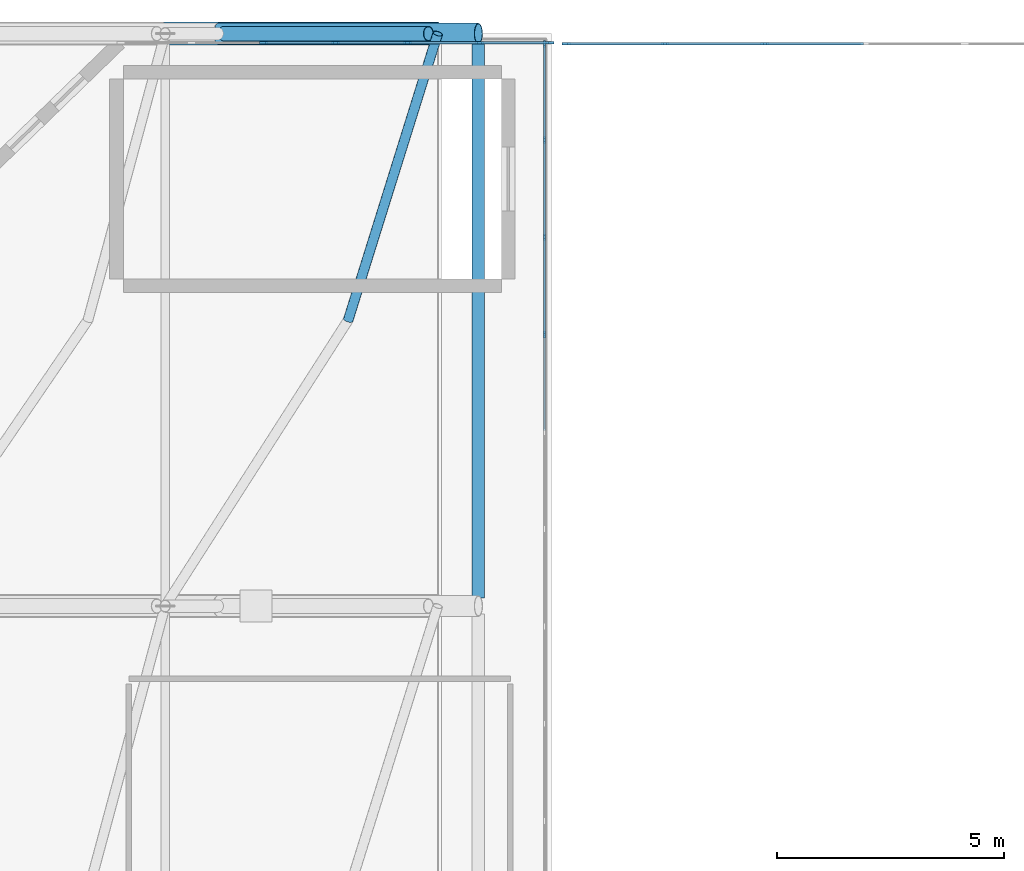
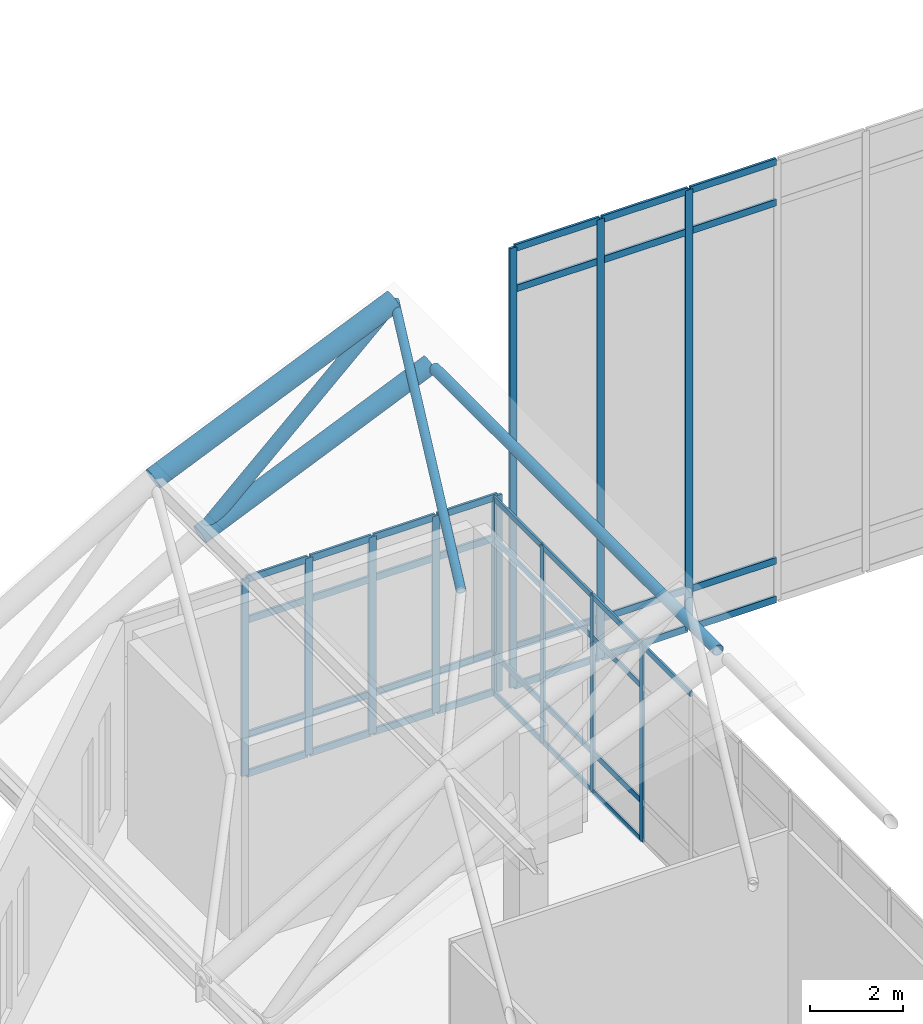
# One storey, part 18 of 42: 58 members, 3 elements without a shape of their own.
"""IFC4 building model written with IfcOpenShell, lengths in metres."""

from ifc_helpers import new_model, si_unit, derived_unit, direction, frame, origin, origin_2d, place, context, subcontext, project, spatial, rectangle, hollow_circle, extrude, material, layer, layer_set, material_profile, profile_set, type_object, element, aggregate, save


model = new_model("IFC4")

# Units and contexts
model_context = context("Model", 3, precision=1e-05, world=origin(), true_north=direction((0.0, 1.0)))
body_context = subcontext(model_context, "Body", "Model", "MODEL_VIEW")
ifc_project = project(units=[si_unit("LENGTHUNIT", "METRE"), si_unit("AREAUNIT", "SQUARE_METRE"), si_unit("VOLUMEUNIT", "CUBIC_METRE"), si_unit("PLANEANGLEUNIT", "RADIAN"), si_unit("MASSUNIT", "GRAM", prefix="KILO"), derived_unit("THERMALTRANSMITTANCEUNIT", [(si_unit("MASSUNIT", "GRAM", prefix="KILO"), 1), (si_unit("TIMEUNIT", "SECOND"), -3), (si_unit("THERMODYNAMICTEMPERATUREUNIT", "KELVIN"), -1)])], contexts=[model_context])

# Site, building, storey
site_placement = place(None, origin())
site = spatial("IfcSite", under=ifc_project, at=site_placement, CompositionType="ELEMENT")
building_placement = place(site_placement, origin())
building = spatial("IfcBuilding", under=site, at=building_placement, Name="Valcora Ridge Arena", CompositionType="ELEMENT")
storey_placement = place(building_placement, frame((0.0, 0.0, 26.39990234375)))
storey = spatial("IfcBuildingStorey", under=building, at=storey_placement, Name="L05", CompositionType="ELEMENT", Elevation=26.39990234375)

# Curtain wall, members
ifc_material_1 = material(Name="Anodised dark bronze architectural aluminium 6063-T6", Category="aluminium")
ifc_layer_1 = layer(ifc_material_1, 0.14990234375, Name="Anodised dark bronze architectural aluminium 6063-T6")
ifc_layer_set_1 = layer_set([ifc_layer_1], Name="Anodised dark bronze architectural aluminium 6063-T6")
curtain_wall_type_1 = type_object("IfcCurtainWallType", Name="TY-CURTAINWALL-CW-V1-SKY-878X52", PredefinedType="NOTDEFINED", material=ifc_layer_set_1)
curtain_wall_1_placement = place(storey_placement, origin())
curtain_wall_1 = element("IfcCurtainWall", 1, at=curtain_wall_1_placement, inside=storey, type_object=curtain_wall_type_1, Name="CW-V1-SKY-878X52 CW-0171", PredefinedType="NOTDEFINED")
ifc_material_profile_1 = material_profile(ifc_material_1, rectangle(XDim=0.050048828125, YDim=0.14990234375, at=origin_2d()), Name="ALU MULLION 50x150")
ifc_profile_set_1 = profile_set([ifc_material_profile_1], Name="Anodised dark bronze architectural aluminium 6063-T6")
member_type_1 = type_object("IfcMemberType", Name="TY-MEM-CWM-50x150", PredefinedType="MULLION", material=ifc_profile_set_1)
member_1_placement = place(storey_placement, frame((38.35009765625, 101.57568359375, 0.0), z_axis=(0.0, 0.0, 1.0), x_axis=(-1.0, 0.0, 0.0)))
member_1 = element("IfcMember", 2, at=member_1_placement, type_object=member_type_1, Name="CW-0171/CWM-50x150/M38", PredefinedType="MULLION", context=body_context, shape_type="SweptSolid", body=[
    extrude(rectangle(XDim=0.050048828125, YDim=0.14990234375, at=origin_2d()), origin(), (0.0, 0.0, 1.0), 5.18017578125),
])
member_2_placement = place(storey_placement, frame((38.35009765625, 103.717041015625, 0.0), z_axis=(0.0, 0.0, 1.0), x_axis=(-1.0, 0.0, 0.0)))
member_2 = element("IfcMember", 3, at=member_2_placement, type_object=member_type_1, Name="CW-0171/CWM-50x150/M39", PredefinedType="MULLION", context=body_context, shape_type="SweptSolid", body=[
    extrude(rectangle(XDim=0.050048828125, YDim=0.14990234375, at=origin_2d()), origin(), (0.0, 0.0, 1.0), 5.18017578125),
])
member_3_placement = place(storey_placement, frame((38.35009765625, 105.8583984375, 0.0), z_axis=(0.0, 0.0, 1.0), x_axis=(-1.0, 0.0, 0.0)))
member_3 = element("IfcMember", 4, at=member_3_placement, type_object=member_type_1, Name="CW-0171/CWM-50x150/M40", PredefinedType="MULLION", context=body_context, shape_type="SweptSolid", body=[
    extrude(rectangle(XDim=0.050048828125, YDim=0.14990234375, at=origin_2d()), origin(), (0.0, 0.0, 1.0), 5.18017578125),
])
member_4_placement = place(storey_placement, frame((38.35009765625, 107.97509765625, 0.0), z_axis=(0.0, 0.0, 1.0), x_axis=(-1.0, 0.0, 0.0)))
member_4 = element("IfcMember", 5, at=member_4_placement, type_object=member_type_1, Name="CW-0171/CWM-50x150/M41", PredefinedType="MULLION", context=body_context, shape_type="SweptSolid", body=[
    extrude(rectangle(XDim=0.050048828125, YDim=0.14990234375, at=origin_2d()), origin(), (0.0, 0.0, 1.0), 5.18017578125),
])

ifc_layer_2 = layer(ifc_material_1, 0.179931640625, Name="Anodised dark bronze architectural aluminium 6063-T6")
ifc_layer_set_2 = layer_set([ifc_layer_2], Name="Anodised dark bronze architectural aluminium 6063-T6")
curtain_wall_type_2 = type_object("IfcCurtainWallType", Name="TY-CURTAINWALL-CW-V1-GOTH-095X52", PredefinedType="NOTDEFINED", material=ifc_layer_set_2)
curtain_wall_2_placement = place(storey_placement, origin())
curtain_wall_2 = element("IfcCurtainWall", 6, at=curtain_wall_2_placement, inside=storey, type_object=curtain_wall_type_2, Name="CW-V1-GOTH-095X52 CW-0170", PredefinedType="NOTDEFINED")
ifc_material_profile_2 = material_profile(ifc_material_1, rectangle(XDim=0.06005859375, YDim=0.179931640625, at=origin_2d()), Name="ALU MULLION 60x180")
ifc_profile_set_2 = profile_set([ifc_material_profile_2], Name="Anodised dark bronze architectural aluminium 6063-T6")
member_type_2 = type_object("IfcMemberType", Name="TY-MEM-CWM-60x180", PredefinedType="MULLION", material=ifc_profile_set_2)
member_5_placement = place(storey_placement, frame((32.166748046875, 108.0, 0.0), z_axis=(0.0, 0.0, 1.0), x_axis=(0.0, 1.0, 0.0)))
member_5 = element("IfcMember", 7, at=member_5_placement, type_object=member_type_2, Name="CW-0170/CWM-60x180/M02", PredefinedType="MULLION", context=body_context, shape_type="SweptSolid", body=[
    extrude(rectangle(XDim=0.06005859375, YDim=0.179931640625, at=origin_2d()), origin(), (0.0, 0.0, 1.0), 5.18017578125),
])
member_6_placement = place(storey_placement, frame((33.75, 108.0, 0.0), z_axis=(0.0, 0.0, 1.0), x_axis=(0.0, 1.0, 0.0)))
member_6 = element("IfcMember", 8, at=member_6_placement, type_object=member_type_2, Name="CW-0170/CWM-60x180/M03", PredefinedType="MULLION", context=body_context, shape_type="SweptSolid", body=[
    extrude(rectangle(XDim=0.06005859375, YDim=0.179931640625, at=origin_2d()), origin(), (0.0, 0.0, 1.0), 5.18017578125),
])
member_7_placement = place(storey_placement, frame((35.333251953125, 108.0, 0.0), z_axis=(0.0, 0.0, 1.0), x_axis=(0.0, 1.0, 0.0)))
member_7 = element("IfcMember", 9, at=member_7_placement, type_object=member_type_2, Name="CW-0170/CWM-60x180/M04", PredefinedType="MULLION", context=body_context, shape_type="SweptSolid", body=[
    extrude(rectangle(XDim=0.06005859375, YDim=0.179931640625, at=origin_2d()), origin(), (0.0, 0.0, 1.0), 5.18017578125),
])
member_8_placement = place(storey_placement, frame((36.916748046875, 108.0, 0.0), z_axis=(0.0, 0.0, 1.0), x_axis=(0.0, 1.0, 0.0)))
member_8 = element("IfcMember", 10, at=member_8_placement, type_object=member_type_2, Name="CW-0170/CWM-60x180/M05", PredefinedType="MULLION", context=body_context, shape_type="SweptSolid", body=[
    extrude(rectangle(XDim=0.06005859375, YDim=0.179931640625, at=origin_2d()), origin(), (0.0, 0.0, 1.0), 5.18017578125),
])
member_9_placement = place(storey_placement, frame((38.469970703125, 108.0, 0.0), z_axis=(0.0, 0.0, 1.0), x_axis=(0.0, 1.0, 0.0)))
member_9 = element("IfcMember", 11, at=member_9_placement, type_object=member_type_2, Name="CW-0170/CWM-60x180/M06", PredefinedType="MULLION", context=body_context, shape_type="SweptSolid", body=[
    extrude(rectangle(XDim=0.06005859375, YDim=0.179931640625, at=origin_2d()), origin(), (0.0, 0.0, 1.0), 5.18017578125),
])

ifc_layer_3 = layer(ifc_material_1, 0.179931640625, Name="Anodised dark bronze architectural aluminium 6063-T6")
ifc_layer_set_3 = layer_set([ifc_layer_3], Name="Anodised dark bronze architectural aluminium 6063-T6")
curtain_wall_type_3 = type_object("IfcCurtainWallType", Name="TY-CURTAINWALL-CW-V1-TYMPN-132X116", PredefinedType="NOTDEFINED", material=ifc_layer_set_3)
curtain_wall_3_placement = place(storey_placement, origin())
curtain_wall_3 = element("IfcCurtainWall", 12, at=curtain_wall_3_placement, inside=storey, type_object=curtain_wall_type_3, Name="CW-V1-TYMPN-132X116 CW-0173", PredefinedType="NOTDEFINED")
member_10_placement = place(storey_placement, frame((38.830078125, 107.97998046875, 0.0), z_axis=(0.0, 0.0, 1.0), x_axis=(0.0, 1.0, 0.0)))
member_10 = element("IfcMember", 13, at=member_10_placement, type_object=member_type_2, Name="CW-0173/CWM-60x180/M00", PredefinedType="MULLION", context=body_context, shape_type="SweptSolid", body=[
    extrude(rectangle(XDim=0.06005859375, YDim=0.179931640625, at=origin_2d()), origin(), (0.0, 0.0, 1.0), 11.57666015625),
])
member_11_placement = place(storey_placement, frame((41.0, 107.97998046875, 0.0), z_axis=(0.0, 0.0, 1.0), x_axis=(0.0, 1.0, 0.0)))
member_11 = element("IfcMember", 14, at=member_11_placement, type_object=member_type_2, Name="CW-0173/CWM-60x180/M01", PredefinedType="MULLION", context=body_context, shape_type="SweptSolid", body=[
    extrude(rectangle(XDim=0.06005859375, YDim=0.179931640625, at=origin_2d()), origin(), (0.0, 0.0, 1.0), 11.57666015625),
])
member_12_placement = place(storey_placement, frame((43.199951171875, 107.97998046875, 0.0), z_axis=(0.0, 0.0, 1.0), x_axis=(0.0, 1.0, 0.0)))
member_12 = element("IfcMember", 15, at=member_12_placement, type_object=member_type_2, Name="CW-0173/CWM-60x180/M02", PredefinedType="MULLION", context=body_context, shape_type="SweptSolid", body=[
    extrude(rectangle(XDim=0.06005859375, YDim=0.179931640625, at=origin_2d()), origin(), (0.0, 0.0, 1.0), 11.57666015625),
])

# Member
ifc_material_profile_3 = material_profile(ifc_material_1, rectangle(XDim=0.050048828125, YDim=0.14990234375, at=origin_2d()), Name="ALU TRANSOM 50x150")
ifc_profile_set_3 = profile_set([ifc_material_profile_3], Name="Anodised dark bronze architectural aluminium 6063-T6")
member_type_3 = type_object("IfcMemberType", Name="TY-MEM-CWT-50x150", PredefinedType="USERDEFINED", material=ifc_profile_set_3)
member_13_placement = place(storey_placement, frame((38.35009765625, 99.458984375, 5.155029296875), z_axis=(0.0, 1.0, 0.0), x_axis=(-1.0, 0.0, 0.0)))
member_13 = element("IfcMember", 16, at=member_13_placement, type_object=member_type_3, Name="CW-0171/CWT-50x150/T37-03", ObjectType="TRANSOM", PredefinedType="USERDEFINED", context=body_context, shape_type="SweptSolid", body=[
    extrude(rectangle(XDim=0.050048828125, YDim=0.14990234375, at=origin_2d()), origin(), (0.0, 0.0, 1.0), 2.092041015625),
])

member_14_placement = place(storey_placement, frame((38.35009765625, 101.60107421875, 0.025146484375), z_axis=(0.0, 1.0, 0.0), x_axis=(-1.0, 0.0, 0.0)))
member_14 = element("IfcMember", 17, at=member_14_placement, type_object=member_type_3, Name="CW-0171/CWT-50x150/T38-00", ObjectType="TRANSOM", PredefinedType="USERDEFINED", context=body_context, shape_type="SweptSolid", body=[
    extrude(rectangle(XDim=0.050048828125, YDim=0.14990234375, at=origin_2d()), origin(), (0.0, 0.0, 1.0), 2.0908203125),
])

member_15_placement = place(storey_placement, frame((38.35009765625, 101.60107421875, 1.050048828125), z_axis=(0.0, 1.0, 0.0), x_axis=(-1.0, 0.0, 0.0)))
member_15 = element("IfcMember", 18, at=member_15_placement, type_object=member_type_3, Name="CW-0171/CWT-50x150/T38-01", ObjectType="TRANSOM", PredefinedType="USERDEFINED", context=body_context, shape_type="SweptSolid", body=[
    extrude(rectangle(XDim=0.050048828125, YDim=0.14990234375, at=origin_2d()), origin(), (0.0, 0.0, 1.0), 2.0908203125),
])

member_16_placement = place(storey_placement, frame((38.35009765625, 101.60107421875, 4.080078125), z_axis=(0.0, 1.0, 0.0), x_axis=(-1.0, 0.0, 0.0)))
member_16 = element("IfcMember", 19, at=member_16_placement, type_object=member_type_3, Name="CW-0171/CWT-50x150/T38-02", ObjectType="TRANSOM", PredefinedType="USERDEFINED", context=body_context, shape_type="SweptSolid", body=[
    extrude(rectangle(XDim=0.050048828125, YDim=0.14990234375, at=origin_2d()), origin(), (0.0, 0.0, 1.0), 2.0908203125),
])

member_17_placement = place(storey_placement, frame((38.35009765625, 101.60107421875, 5.155029296875), z_axis=(0.0, 1.0, 0.0), x_axis=(-1.0, 0.0, 0.0)))
member_17 = element("IfcMember", 20, at=member_17_placement, type_object=member_type_3, Name="CW-0171/CWT-50x150/T38-03", ObjectType="TRANSOM", PredefinedType="USERDEFINED", context=body_context, shape_type="SweptSolid", body=[
    extrude(rectangle(XDim=0.050048828125, YDim=0.14990234375, at=origin_2d()), origin(), (0.0, 0.0, 1.0), 2.0908203125),
])

member_18_placement = place(storey_placement, frame((38.35009765625, 103.741943359375, 0.025146484375), z_axis=(0.0, 1.0, 0.0), x_axis=(-1.0, 0.0, 0.0)))
member_18 = element("IfcMember", 21, at=member_18_placement, type_object=member_type_3, Name="CW-0171/CWT-50x150/T39-00", ObjectType="TRANSOM", PredefinedType="USERDEFINED", context=body_context, shape_type="SweptSolid", body=[
    extrude(rectangle(XDim=0.050048828125, YDim=0.14990234375, at=origin_2d()), origin(), (0.0, 0.0, 1.0), 2.092041015625),
])

member_19_placement = place(storey_placement, frame((38.35009765625, 103.741943359375, 1.050048828125), z_axis=(0.0, 1.0, 0.0), x_axis=(-1.0, 0.0, 0.0)))
member_19 = element("IfcMember", 22, at=member_19_placement, type_object=member_type_3, Name="CW-0171/CWT-50x150/T39-01", ObjectType="TRANSOM", PredefinedType="USERDEFINED", context=body_context, shape_type="SweptSolid", body=[
    extrude(rectangle(XDim=0.050048828125, YDim=0.14990234375, at=origin_2d()), origin(), (0.0, 0.0, 1.0), 2.092041015625),
])

member_20_placement = place(storey_placement, frame((38.35009765625, 103.741943359375, 4.080078125), z_axis=(0.0, 1.0, 0.0), x_axis=(-1.0, 0.0, 0.0)))
member_20 = element("IfcMember", 23, at=member_20_placement, type_object=member_type_3, Name="CW-0171/CWT-50x150/T39-02", ObjectType="TRANSOM", PredefinedType="USERDEFINED", context=body_context, shape_type="SweptSolid", body=[
    extrude(rectangle(XDim=0.050048828125, YDim=0.14990234375, at=origin_2d()), origin(), (0.0, 0.0, 1.0), 2.092041015625),
])

member_21_placement = place(storey_placement, frame((38.35009765625, 103.741943359375, 5.155029296875), z_axis=(0.0, 1.0, 0.0), x_axis=(-1.0, 0.0, 0.0)))
member_21 = element("IfcMember", 24, at=member_21_placement, type_object=member_type_3, Name="CW-0171/CWT-50x150/T39-03", ObjectType="TRANSOM", PredefinedType="USERDEFINED", context=body_context, shape_type="SweptSolid", body=[
    extrude(rectangle(XDim=0.050048828125, YDim=0.14990234375, at=origin_2d()), origin(), (0.0, 0.0, 1.0), 2.092041015625),
])

member_22_placement = place(storey_placement, frame((38.35009765625, 105.884033203125, 0.025146484375), z_axis=(0.0, 1.0, 0.0), x_axis=(-1.0, 0.0, 0.0)))
member_22 = element("IfcMember", 25, at=member_22_placement, type_object=member_type_3, Name="CW-0171/CWT-50x150/T40-00", ObjectType="TRANSOM", PredefinedType="USERDEFINED", context=body_context, shape_type="SweptSolid", body=[
    extrude(rectangle(XDim=0.050048828125, YDim=0.14990234375, at=origin_2d()), origin(), (0.0, 0.0, 1.0), 2.06591796875),
])

member_23_placement = place(storey_placement, frame((38.35009765625, 105.884033203125, 1.050048828125), z_axis=(0.0, 1.0, 0.0), x_axis=(-1.0, 0.0, 0.0)))
member_23 = element("IfcMember", 26, at=member_23_placement, type_object=member_type_3, Name="CW-0171/CWT-50x150/T40-01", ObjectType="TRANSOM", PredefinedType="USERDEFINED", context=body_context, shape_type="SweptSolid", body=[
    extrude(rectangle(XDim=0.050048828125, YDim=0.14990234375, at=origin_2d()), origin(), (0.0, 0.0, 1.0), 2.06591796875),
])

member_24_placement = place(storey_placement, frame((38.35009765625, 105.884033203125, 4.080078125), z_axis=(0.0, 1.0, 0.0), x_axis=(-1.0, 0.0, 0.0)))
member_24 = element("IfcMember", 27, at=member_24_placement, type_object=member_type_3, Name="CW-0171/CWT-50x150/T40-02", ObjectType="TRANSOM", PredefinedType="USERDEFINED", context=body_context, shape_type="SweptSolid", body=[
    extrude(rectangle(XDim=0.050048828125, YDim=0.14990234375, at=origin_2d()), origin(), (0.0, 0.0, 1.0), 2.06591796875),
])

member_25_placement = place(storey_placement, frame((38.35009765625, 105.884033203125, 5.155029296875), z_axis=(0.0, 1.0, 0.0), x_axis=(-1.0, 0.0, 0.0)))
member_25 = element("IfcMember", 28, at=member_25_placement, type_object=member_type_3, Name="CW-0171/CWT-50x150/T40-03", ObjectType="TRANSOM", PredefinedType="USERDEFINED", context=body_context, shape_type="SweptSolid", body=[
    extrude(rectangle(XDim=0.050048828125, YDim=0.14990234375, at=origin_2d()), origin(), (0.0, 0.0, 1.0), 2.06591796875),
])

aggregate(curtain_wall_1, [member_1, member_2, member_3, member_4, member_13, member_14, member_15, member_16, member_17, member_18, member_19, member_20, member_21, member_22, member_23, member_24, member_25])

ifc_material_profile_4 = material_profile(ifc_material_1, rectangle(XDim=0.06005859375, YDim=0.179931640625, at=origin_2d()), Name="ALU TRANSOM 60x180")
ifc_profile_set_4 = profile_set([ifc_material_profile_4], Name="Anodised dark bronze architectural aluminium 6063-T6")
member_type_4 = type_object("IfcMemberType", Name="TY-MEM-CWT-60x180", PredefinedType="USERDEFINED", material=ifc_profile_set_4)
member_26_placement = place(storey_placement, frame((32.197021484375, 108.0, 0.030029296875), z_axis=(1.0, 0.0, 0.0), x_axis=(0.0, 1.0, 0.0)))
member_26 = element("IfcMember", 29, at=member_26_placement, type_object=member_type_4, Name="CW-0170/CWT-60x180/T02-00", ObjectType="TRANSOM", PredefinedType="USERDEFINED", context=body_context, shape_type="SweptSolid", body=[
    extrude(rectangle(XDim=0.06005859375, YDim=0.179931640625, at=origin_2d()), origin(), (0.0, 0.0, 1.0), 1.52294921875),
])

member_27_placement = place(storey_placement, frame((32.197021484375, 108.0, 1.050048828125), z_axis=(1.0, 0.0, 0.0), x_axis=(0.0, 1.0, 0.0)))
member_27 = element("IfcMember", 30, at=member_27_placement, type_object=member_type_4, Name="CW-0170/CWT-60x180/T02-01", ObjectType="TRANSOM", PredefinedType="USERDEFINED", context=body_context, shape_type="SweptSolid", body=[
    extrude(rectangle(XDim=0.06005859375, YDim=0.179931640625, at=origin_2d()), origin(), (0.0, 0.0, 1.0), 1.52294921875),
])

member_28_placement = place(storey_placement, frame((32.197021484375, 108.0, 4.080078125), z_axis=(1.0, 0.0, 0.0), x_axis=(0.0, 1.0, 0.0)))
member_28 = element("IfcMember", 31, at=member_28_placement, type_object=member_type_4, Name="CW-0170/CWT-60x180/T02-02", ObjectType="TRANSOM", PredefinedType="USERDEFINED", context=body_context, shape_type="SweptSolid", body=[
    extrude(rectangle(XDim=0.06005859375, YDim=0.179931640625, at=origin_2d()), origin(), (0.0, 0.0, 1.0), 1.52294921875),
])

member_29_placement = place(storey_placement, frame((32.197021484375, 108.0, 5.150146484375), z_axis=(1.0, 0.0, 0.0), x_axis=(0.0, 1.0, 0.0)))
member_29 = element("IfcMember", 32, at=member_29_placement, type_object=member_type_4, Name="CW-0170/CWT-60x180/T02-03", ObjectType="TRANSOM", PredefinedType="USERDEFINED", context=body_context, shape_type="SweptSolid", body=[
    extrude(rectangle(XDim=0.06005859375, YDim=0.179931640625, at=origin_2d()), origin(), (0.0, 0.0, 1.0), 1.52294921875),
])

member_30_placement = place(storey_placement, frame((33.780029296875, 108.0, 0.030029296875), z_axis=(1.0, 0.0, 0.0), x_axis=(0.0, 1.0, 0.0)))
member_30 = element("IfcMember", 33, at=member_30_placement, type_object=member_type_4, Name="CW-0170/CWT-60x180/T03-00", ObjectType="TRANSOM", PredefinedType="USERDEFINED", context=body_context, shape_type="SweptSolid", body=[
    extrude(rectangle(XDim=0.06005859375, YDim=0.179931640625, at=origin_2d()), origin(), (0.0, 0.0, 1.0), 1.52294921875),
])

member_31_placement = place(storey_placement, frame((33.780029296875, 108.0, 1.050048828125), z_axis=(1.0, 0.0, 0.0), x_axis=(0.0, 1.0, 0.0)))
member_31 = element("IfcMember", 34, at=member_31_placement, type_object=member_type_4, Name="CW-0170/CWT-60x180/T03-01", ObjectType="TRANSOM", PredefinedType="USERDEFINED", context=body_context, shape_type="SweptSolid", body=[
    extrude(rectangle(XDim=0.06005859375, YDim=0.179931640625, at=origin_2d()), origin(), (0.0, 0.0, 1.0), 1.52294921875),
])

member_32_placement = place(storey_placement, frame((33.780029296875, 108.0, 4.080078125), z_axis=(1.0, 0.0, 0.0), x_axis=(0.0, 1.0, 0.0)))
member_32 = element("IfcMember", 35, at=member_32_placement, type_object=member_type_4, Name="CW-0170/CWT-60x180/T03-02", ObjectType="TRANSOM", PredefinedType="USERDEFINED", context=body_context, shape_type="SweptSolid", body=[
    extrude(rectangle(XDim=0.06005859375, YDim=0.179931640625, at=origin_2d()), origin(), (0.0, 0.0, 1.0), 1.52294921875),
])

member_33_placement = place(storey_placement, frame((33.780029296875, 108.0, 5.150146484375), z_axis=(1.0, 0.0, 0.0), x_axis=(0.0, 1.0, 0.0)))
member_33 = element("IfcMember", 36, at=member_33_placement, type_object=member_type_4, Name="CW-0170/CWT-60x180/T03-03", ObjectType="TRANSOM", PredefinedType="USERDEFINED", context=body_context, shape_type="SweptSolid", body=[
    extrude(rectangle(XDim=0.06005859375, YDim=0.179931640625, at=origin_2d()), origin(), (0.0, 0.0, 1.0), 1.52294921875),
])

member_34_placement = place(storey_placement, frame((35.363037109375, 108.0, 0.030029296875), z_axis=(1.0, 0.0, 0.0), x_axis=(0.0, 1.0, 0.0)))
member_34 = element("IfcMember", 37, at=member_34_placement, type_object=member_type_4, Name="CW-0170/CWT-60x180/T04-00", ObjectType="TRANSOM", PredefinedType="USERDEFINED", context=body_context, shape_type="SweptSolid", body=[
    extrude(rectangle(XDim=0.06005859375, YDim=0.179931640625, at=origin_2d()), origin(), (0.0, 0.0, 1.0), 1.52392578125),
])

member_35_placement = place(storey_placement, frame((35.363037109375, 108.0, 1.050048828125), z_axis=(1.0, 0.0, 0.0), x_axis=(0.0, 1.0, 0.0)))
member_35 = element("IfcMember", 38, at=member_35_placement, type_object=member_type_4, Name="CW-0170/CWT-60x180/T04-01", ObjectType="TRANSOM", PredefinedType="USERDEFINED", context=body_context, shape_type="SweptSolid", body=[
    extrude(rectangle(XDim=0.06005859375, YDim=0.179931640625, at=origin_2d()), origin(), (0.0, 0.0, 1.0), 1.52392578125),
])

member_36_placement = place(storey_placement, frame((35.363037109375, 108.0, 4.080078125), z_axis=(1.0, 0.0, 0.0), x_axis=(0.0, 1.0, 0.0)))
member_36 = element("IfcMember", 39, at=member_36_placement, type_object=member_type_4, Name="CW-0170/CWT-60x180/T04-02", ObjectType="TRANSOM", PredefinedType="USERDEFINED", context=body_context, shape_type="SweptSolid", body=[
    extrude(rectangle(XDim=0.06005859375, YDim=0.179931640625, at=origin_2d()), origin(), (0.0, 0.0, 1.0), 1.52392578125),
])

member_37_placement = place(storey_placement, frame((35.363037109375, 108.0, 5.150146484375), z_axis=(1.0, 0.0, 0.0), x_axis=(0.0, 1.0, 0.0)))
member_37 = element("IfcMember", 40, at=member_37_placement, type_object=member_type_4, Name="CW-0170/CWT-60x180/T04-03", ObjectType="TRANSOM", PredefinedType="USERDEFINED", context=body_context, shape_type="SweptSolid", body=[
    extrude(rectangle(XDim=0.06005859375, YDim=0.179931640625, at=origin_2d()), origin(), (0.0, 0.0, 1.0), 1.52392578125),
])

member_38_placement = place(storey_placement, frame((36.947021484375, 108.0, 0.030029296875), z_axis=(1.0, 0.0, 0.0), x_axis=(0.0, 1.0, 0.0)))
member_38 = element("IfcMember", 41, at=member_38_placement, type_object=member_type_4, Name="CW-0170/CWT-60x180/T05-00", ObjectType="TRANSOM", PredefinedType="USERDEFINED", context=body_context, shape_type="SweptSolid", body=[
    extrude(rectangle(XDim=0.06005859375, YDim=0.179931640625, at=origin_2d()), origin(), (0.0, 0.0, 1.0), 1.492919921875),
])

member_39_placement = place(storey_placement, frame((36.947021484375, 108.0, 1.050048828125), z_axis=(1.0, 0.0, 0.0), x_axis=(0.0, 1.0, 0.0)))
member_39 = element("IfcMember", 42, at=member_39_placement, type_object=member_type_4, Name="CW-0170/CWT-60x180/T05-01", ObjectType="TRANSOM", PredefinedType="USERDEFINED", context=body_context, shape_type="SweptSolid", body=[
    extrude(rectangle(XDim=0.06005859375, YDim=0.179931640625, at=origin_2d()), origin(), (0.0, 0.0, 1.0), 1.492919921875),
])

member_40_placement = place(storey_placement, frame((36.947021484375, 108.0, 4.080078125), z_axis=(1.0, 0.0, 0.0), x_axis=(0.0, 1.0, 0.0)))
member_40 = element("IfcMember", 43, at=member_40_placement, type_object=member_type_4, Name="CW-0170/CWT-60x180/T05-02", ObjectType="TRANSOM", PredefinedType="USERDEFINED", context=body_context, shape_type="SweptSolid", body=[
    extrude(rectangle(XDim=0.06005859375, YDim=0.179931640625, at=origin_2d()), origin(), (0.0, 0.0, 1.0), 1.492919921875),
])

member_41_placement = place(storey_placement, frame((36.947021484375, 108.0, 5.150146484375), z_axis=(1.0, 0.0, 0.0), x_axis=(0.0, 1.0, 0.0)))
member_41 = element("IfcMember", 44, at=member_41_placement, type_object=member_type_4, Name="CW-0170/CWT-60x180/T05-03", ObjectType="TRANSOM", PredefinedType="USERDEFINED", context=body_context, shape_type="SweptSolid", body=[
    extrude(rectangle(XDim=0.06005859375, YDim=0.179931640625, at=origin_2d()), origin(), (0.0, 0.0, 1.0), 1.492919921875),
])

aggregate(curtain_wall_2, [member_5, member_6, member_7, member_8, member_9, member_26, member_27, member_28, member_29, member_30, member_31, member_32, member_33, member_34, member_35, member_36, member_37, member_38, member_39, member_40, member_41])

member_42_placement = place(storey_placement, frame((38.860107421875, 107.97998046875, 0.030029296875), z_axis=(1.0, 0.0, 0.0), x_axis=(0.0, 1.0, 0.0)))
member_42 = element("IfcMember", 45, at=member_42_placement, type_object=member_type_4, Name="CW-0173/CWT-60x180/T00-00", ObjectType="TRANSOM", PredefinedType="USERDEFINED", context=body_context, shape_type="SweptSolid", body=[
    extrude(rectangle(XDim=0.06005859375, YDim=0.179931640625, at=origin_2d()), origin(), (0.0, 0.0, 1.0), 2.10986328125),
])

member_43_placement = place(storey_placement, frame((38.860107421875, 107.97998046875, 1.050048828125), z_axis=(1.0, 0.0, 0.0), x_axis=(0.0, 1.0, 0.0)))
member_43 = element("IfcMember", 46, at=member_43_placement, type_object=member_type_4, Name="CW-0173/CWT-60x180/T00-01", ObjectType="TRANSOM", PredefinedType="USERDEFINED", context=body_context, shape_type="SweptSolid", body=[
    extrude(rectangle(XDim=0.06005859375, YDim=0.179931640625, at=origin_2d()), origin(), (0.0, 0.0, 1.0), 2.10986328125),
])

member_44_placement = place(storey_placement, frame((38.860107421875, 107.97998046875, 10.476806640625), z_axis=(1.0, 0.0, 0.0), x_axis=(0.0, 1.0, 0.0)))
member_44 = element("IfcMember", 47, at=member_44_placement, type_object=member_type_4, Name="CW-0173/CWT-60x180/T00-02", ObjectType="TRANSOM", PredefinedType="USERDEFINED", context=body_context, shape_type="SweptSolid", body=[
    extrude(rectangle(XDim=0.06005859375, YDim=0.179931640625, at=origin_2d()), origin(), (0.0, 0.0, 1.0), 2.10986328125),
])

member_45_placement = place(storey_placement, frame((38.860107421875, 107.97998046875, 11.546630859375), z_axis=(1.0, 0.0, 0.0), x_axis=(0.0, 1.0, 0.0)))
member_45 = element("IfcMember", 48, at=member_45_placement, type_object=member_type_4, Name="CW-0173/CWT-60x180/T00-03", ObjectType="TRANSOM", PredefinedType="USERDEFINED", context=body_context, shape_type="SweptSolid", body=[
    extrude(rectangle(XDim=0.06005859375, YDim=0.179931640625, at=origin_2d()), origin(), (0.0, 0.0, 1.0), 2.10986328125),
])

member_46_placement = place(storey_placement, frame((41.030029296875, 107.97998046875, 0.030029296875), z_axis=(1.0, 0.0, 0.0), x_axis=(0.0, 1.0, 0.0)))
member_46 = element("IfcMember", 49, at=member_46_placement, type_object=member_type_4, Name="CW-0173/CWT-60x180/T01-00", ObjectType="TRANSOM", PredefinedType="USERDEFINED", context=body_context, shape_type="SweptSolid", body=[
    extrude(rectangle(XDim=0.06005859375, YDim=0.179931640625, at=origin_2d()), origin(), (0.0, 0.0, 1.0), 2.139892578125),
])

member_47_placement = place(storey_placement, frame((41.030029296875, 107.97998046875, 1.050048828125), z_axis=(1.0, 0.0, 0.0), x_axis=(0.0, 1.0, 0.0)))
member_47 = element("IfcMember", 50, at=member_47_placement, type_object=member_type_4, Name="CW-0173/CWT-60x180/T01-01", ObjectType="TRANSOM", PredefinedType="USERDEFINED", context=body_context, shape_type="SweptSolid", body=[
    extrude(rectangle(XDim=0.06005859375, YDim=0.179931640625, at=origin_2d()), origin(), (0.0, 0.0, 1.0), 2.139892578125),
])

member_48_placement = place(storey_placement, frame((41.030029296875, 107.97998046875, 10.476806640625), z_axis=(1.0, 0.0, 0.0), x_axis=(0.0, 1.0, 0.0)))
member_48 = element("IfcMember", 51, at=member_48_placement, type_object=member_type_4, Name="CW-0173/CWT-60x180/T01-02", ObjectType="TRANSOM", PredefinedType="USERDEFINED", context=body_context, shape_type="SweptSolid", body=[
    extrude(rectangle(XDim=0.06005859375, YDim=0.179931640625, at=origin_2d()), origin(), (0.0, 0.0, 1.0), 2.139892578125),
])

member_49_placement = place(storey_placement, frame((41.030029296875, 107.97998046875, 11.546630859375), z_axis=(1.0, 0.0, 0.0), x_axis=(0.0, 1.0, 0.0)))
member_49 = element("IfcMember", 52, at=member_49_placement, type_object=member_type_4, Name="CW-0173/CWT-60x180/T01-03", ObjectType="TRANSOM", PredefinedType="USERDEFINED", context=body_context, shape_type="SweptSolid", body=[
    extrude(rectangle(XDim=0.06005859375, YDim=0.179931640625, at=origin_2d()), origin(), (0.0, 0.0, 1.0), 2.139892578125),
])

member_50_placement = place(storey_placement, frame((43.22998046875, 107.97998046875, 0.030029296875), z_axis=(1.0, 0.0, 0.0), x_axis=(0.0, 1.0, 0.0)))
member_50 = element("IfcMember", 53, at=member_50_placement, type_object=member_type_4, Name="CW-0173/CWT-60x180/T02-00", ObjectType="TRANSOM", PredefinedType="USERDEFINED", context=body_context, shape_type="SweptSolid", body=[
    extrude(rectangle(XDim=0.06005859375, YDim=0.179931640625, at=origin_2d()), origin(), (0.0, 0.0, 1.0), 2.14013671875),
])

member_51_placement = place(storey_placement, frame((43.22998046875, 107.97998046875, 1.050048828125), z_axis=(1.0, 0.0, 0.0), x_axis=(0.0, 1.0, 0.0)))
member_51 = element("IfcMember", 54, at=member_51_placement, type_object=member_type_4, Name="CW-0173/CWT-60x180/T02-01", ObjectType="TRANSOM", PredefinedType="USERDEFINED", context=body_context, shape_type="SweptSolid", body=[
    extrude(rectangle(XDim=0.06005859375, YDim=0.179931640625, at=origin_2d()), origin(), (0.0, 0.0, 1.0), 2.14013671875),
])

member_52_placement = place(storey_placement, frame((43.22998046875, 107.97998046875, 10.476806640625), z_axis=(1.0, 0.0, 0.0), x_axis=(0.0, 1.0, 0.0)))
member_52 = element("IfcMember", 55, at=member_52_placement, type_object=member_type_4, Name="CW-0173/CWT-60x180/T02-02", ObjectType="TRANSOM", PredefinedType="USERDEFINED", context=body_context, shape_type="SweptSolid", body=[
    extrude(rectangle(XDim=0.06005859375, YDim=0.179931640625, at=origin_2d()), origin(), (0.0, 0.0, 1.0), 2.14013671875),
])

member_53_placement = place(storey_placement, frame((43.22998046875, 107.97998046875, 11.546630859375), z_axis=(1.0, 0.0, 0.0), x_axis=(0.0, 1.0, 0.0)))
member_53 = element("IfcMember", 56, at=member_53_placement, type_object=member_type_4, Name="CW-0173/CWT-60x180/T02-03", ObjectType="TRANSOM", PredefinedType="USERDEFINED", context=body_context, shape_type="SweptSolid", body=[
    extrude(rectangle(XDim=0.06005859375, YDim=0.179931640625, at=origin_2d()), origin(), (0.0, 0.0, 1.0), 2.14013671875),
])

aggregate(curtain_wall_3, [member_10, member_11, member_12, member_42, member_43, member_44, member_45, member_46, member_47, member_48, member_49, member_50, member_51, member_52, member_53])

# Members
ifc_material_2 = material(Name="Steel ASTM A500 Grade C", Category="steel")
ifc_material_profile_5 = material_profile(ifc_material_2, hollow_circle(Radius=0.228515625, WallThickness=0.01611328125, at=origin_2d()), Name="CHS457X16")
ifc_profile_set_5 = profile_set([ifc_material_profile_5], Name="Steel ASTM A500 Grade C")
member_type_5 = type_object("IfcMemberType", Name="TY-MEMBER-SFBC-457", PredefinedType="CHORD", material=ifc_profile_set_5)
member_54_placement = place(storey_placement, frame((31.1669921875, 108.199951171875, 6.558837890625), z_axis=(0.917672105435, 0.0, 0.397338529351), x_axis=(0.0, 1.0, 0.0)))
element("IfcMember", 57, at=member_54_placement, inside=storey, type_object=member_type_5, Name="SFBC-457 Space Frame Bottom Chord", PredefinedType="CHORD", context=body_context, shape_type="SweptSolid", body=[
    extrude(hollow_circle(Radius=0.228515625, WallThickness=0.01611328125, at=origin_2d()), origin(), (0.0, 0.0, 1.0), 6.24267578125),
])
ifc_material_profile_6 = material_profile(ifc_material_2, hollow_circle(Radius=0.136474609375, WallThickness=0.012451171875, at=origin_2d()), Name="CHS273X12")
ifc_profile_set_6 = profile_set([ifc_material_profile_6], Name="Steel ASTM A500 Grade C")
member_type_6 = type_object("IfcMemberType", Name="TY-MEMBER-SFBT-273", PredefinedType="STRUT", material=ifc_profile_set_6)
member_55_placement = place(storey_placement, frame((36.895751953125, 95.780029296875, 9.039306640625), z_axis=(0.0, 1.0, 0.0), x_axis=(-1.0, 0.0, 0.0)))
element("IfcMember", 58, at=member_55_placement, inside=storey, type_object=member_type_6, Name="SFBT-273 Space Frame Bottom Strut", PredefinedType="STRUT", context=body_context, shape_type="SweptSolid", body=[
    extrude(hollow_circle(Radius=0.136474609375, WallThickness=0.012451171875, at=origin_2d()), origin(), (0.0, 0.0, 1.0), 12.239990234375),
])
ifc_material_profile_7 = material_profile(ifc_material_2, hollow_circle(Radius=0.109619140625, WallThickness=0.010009765625, at=origin_2d()), Name="CHS219X10")
ifc_profile_set_7 = profile_set([ifc_material_profile_7], Name="Steel ASTM A500 Grade C")
member_type_7 = type_object("IfcMemberType", Name="TY-MEMBER-SFST-219", PredefinedType="STRUT", material=ifc_profile_set_7)
member_56_placement = place(storey_placement, frame((34.031494140625, 101.89990234375, 7.895751953125), z_axis=(0.26940738515, 0.862217235992, 0.428953492566), x_axis=(-0.95449116609, 0.298239189001, 0.0)))
element("IfcMember", 59, at=member_56_placement, inside=storey, type_object=member_type_7, Name="SFST-219 Space Frame Tie Strut", PredefinedType="STRUT", context=body_context, shape_type="SweptSolid", body=[
    extrude(hollow_circle(Radius=0.109619140625, WallThickness=0.010009765625, at=origin_2d()), origin(), (0.0, 0.0, 1.0), 7.306884765625),
])
ifc_material_profile_8 = material_profile(ifc_material_2, hollow_circle(Radius=0.25390625, WallThickness=0.01611328125, at=origin_2d()), Name="CHS508X16")
ifc_profile_set_8 = profile_set([ifc_material_profile_8], Name="Steel ASTM A500 Grade C")
member_type_8 = type_object("IfcMemberType", Name="TY-MEMBER-SFTC-508", PredefinedType="CHORD", material=ifc_profile_set_8)
member_57_placement = place(storey_placement, frame((30.0, 108.199951171875, 8.43212890625), z_axis=(0.917672740792, 0.0, 0.397337061961), x_axis=(0.0, 1.0, 0.0)))
element("IfcMember", 60, at=member_57_placement, inside=storey, type_object=member_type_8, Name="SFTC-508 Space Frame Top Chord", PredefinedType="CHORD", context=body_context, shape_type="SweptSolid", body=[
    extrude(hollow_circle(Radius=0.25390625, WallThickness=0.01611328125, at=origin_2d()), origin(), (0.0, 0.0, 1.0), 6.538330078125),
])
ifc_material_profile_9 = material_profile(ifc_material_2, hollow_circle(Radius=0.161865234375, WallThickness=0.012451171875, at=origin_2d()), Name="CHS323X12")
ifc_profile_set_9 = profile_set([ifc_material_profile_9], Name="Steel ASTM A500 Grade C")
member_type_9 = type_object("IfcMemberType", Name="TY-MEMBER-SFWB-323", PredefinedType="BRACE", material=ifc_profile_set_9)
member_58_placement = place(storey_placement, frame((31.284423828125, 108.199951171875, 6.66748046875), z_axis=(0.734030604976, 0.0, 0.679116389847), x_axis=(0.0, 1.0, 0.0)))
element("IfcMember", 61, at=member_58_placement, inside=storey, type_object=member_type_9, Name="SFWB-323 Space Frame Diagonal Brace", PredefinedType="BRACE", context=body_context, shape_type="SweptSolid", body=[
    extrude(hollow_circle(Radius=0.161865234375, WallThickness=0.012451171875, at=origin_2d()), origin(), (0.0, 0.0, 1.0), 6.144287109375),
])

save(model, "model.ifc")
